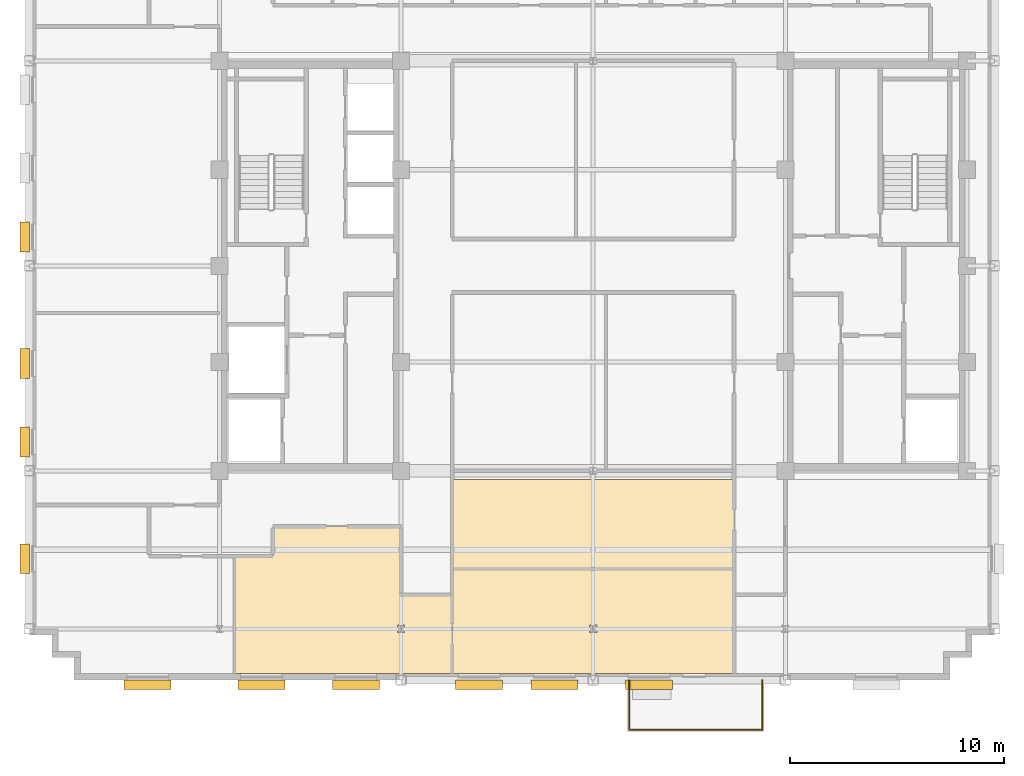
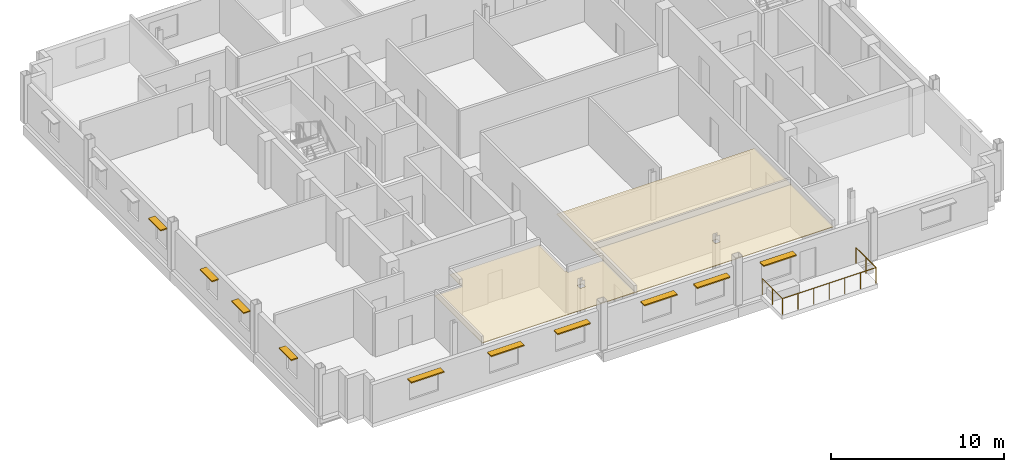
# One storey, part 10 of 13: 10 shading devices, 3 coverings, 1 railing.
"""IFC4 building model written with IfcOpenShell, lengths in metres."""

from ifc_helpers import new_model, si_unit, direction, frame, origin, origin_2d, place, context, subcontext, project, spatial, polyline, rectangle, circle, outline, extrude, source, transform, mapped, material, layer, layer_set, type_object, type_shapes, element, save


model = new_model("IFC4")

# Units and contexts
model_context = context("Model", 3, precision=1e-05, world=origin(), true_north=direction((0.0, 1.0)))
body_context = subcontext(model_context, "Body", "Model", "MODEL_VIEW")
ifc_project = project(units=[si_unit("LENGTHUNIT", "METRE"), si_unit("AREAUNIT", "SQUARE_METRE"), si_unit("VOLUMEUNIT", "CUBIC_METRE"), si_unit("PLANEANGLEUNIT", "RADIAN"), si_unit("MASSUNIT", "GRAM", prefix="KILO")], contexts=[model_context])

# Site, building, storey
site_placement = place(None, origin())
site = spatial("IfcSite", under=ifc_project, at=site_placement, CompositionType="ELEMENT")
building_placement = place(site_placement, origin())
building = spatial("IfcBuilding", under=site, at=building_placement, Name="Nuvemarco Arch Tower", CompositionType="ELEMENT")
storey_placement = place(building_placement, frame((0.0, 0.0, 234.699951171875)))
storey = spatial("IfcBuildingStorey", under=building, at=storey_placement, Name="L62", CompositionType="ELEMENT", Elevation=234.699951171875)

# Coverings
ifc_material_1 = material(Name="Mineral acoustic ceiling tile")
ifc_layer = layer(ifc_material_1, 0.0400390625, Name="COV-ACOUSTIC-CLG")
ifc_layer_set = layer_set([ifc_layer], Name="Mineral acoustic ceiling tile")
covering_type = type_object("IfcCoveringType", Name="COV-ACOUSTIC-CLG", PredefinedType="CEILING", material=ifc_layer_set)
covering_1_placement = place(storey_placement, frame((0.0, 0.0, 2.85009765625)))
element("IfcCovering", 1, at=covering_1_placement, inside=storey, type_object=covering_type, Name="L62 suspended acoustic ceiling 3", PredefinedType="CEILING", context=body_context, shape_type="SweptSolid", body=[
    extrude(outline(polyline([(6.60009765625, -15.39990234375), (6.60009765625, -19.10009765625), (-6.60009765625, -19.10009765625), (-6.60009765625, -15.39990234375), (-6.60009765625, -14.199951171875), (6.60009765625, -14.199951171875), (6.60009765625, -15.39990234375)]), holes=[polyline([(0.169921875, -17.169921875), (0.169921875, -16.830078125), (-0.169921875, -16.830078125), (-0.169921875, -17.169921875), (0.169921875, -17.169921875)])]), origin(), (0.0, 0.0, 1.0), 0.0400390625),
])
covering_2_placement = place(storey_placement, frame((0.0, 0.0, 2.85009765625)))
element("IfcCovering", 2, at=covering_2_placement, inside=storey, type_object=covering_type, Name="L62 suspended acoustic ceiling 4", PredefinedType="CEILING", context=body_context, shape_type="SweptSolid", body=[
    extrude(outline(polyline([(6.60009765625, -14.199951171875), (-6.60009765625, -14.199951171875), (-6.60009765625, -12.199951171875), (-6.60009765625, -10.0), (6.60009765625, -10.0), (6.60009765625, -14.199951171875)])), origin(), (0.0, 0.0, 1.0), 0.0400390625),
])
covering_3_placement = place(storey_placement, frame((0.0, 0.0, 2.85009765625)))
element("IfcCovering", 3, at=covering_3_placement, inside=storey, type_object=covering_type, Name="L62 suspended acoustic ceiling 5", PredefinedType="CEILING", context=body_context, shape_type="SweptSolid", body=[
    extrude(outline(polyline([(-9.0, -12.199951171875), (-9.0, -15.39990234375), (-6.60009765625, -15.39990234375), (-6.60009765625, -19.10009765625), (-16.800048828125, -19.10009765625), (-16.800048828125, -13.60009765625), (-15.0, -13.60009765625), (-15.0, -12.199951171875), (-9.0, -12.199951171875)]), holes=[polyline([(-8.830078125, -16.830078125), (-9.169921875, -16.830078125), (-9.169921875, -17.169921875), (-8.830078125, -17.169921875), (-8.830078125, -16.830078125)])]), origin(), (0.0, 0.0, 1.0), 0.0400390625),
])

# Railing
ifc_material_2 = material(Name="Dark anodised balustrade steel S355", Category="steel")
railing_type = type_object("IfcRailingType", Name="RL-TERR-GUARD", PredefinedType="BALUSTRADE", material=ifc_material_2)
railing_placement = place(storey_placement, frame((1.679931640625, -19.39990234375, 0.0)))
element("IfcRailing", 4, at=railing_placement, inside=storey, type_object=railing_type, Name="L62 spiral terrace perimeter balustrade guard", PredefinedType="BALUSTRADE", context=body_context, shape_type="SweptSolid", body=[
    extrude(circle(Radius=0.02392578125, at=origin_2d()), frame((0.0, 0.0, 1.1259765625), z_axis=(0.0, -1.0, 0.0), x_axis=(1.0, 0.0, 0.0)), (0.0, 0.0, 1.0), 2.320068359375),
    extrude(circle(Radius=0.02392578125, at=origin_2d()), frame((0.0, -2.320068359375, 1.1259765625), z_axis=(1.0, 0.0, 0.0), x_axis=(0.0, 1.0, 0.0)), (0.0, 0.0, 1.0), 6.239990234375),
    extrude(circle(Radius=0.02392578125, at=origin_2d()), frame((6.239990234375, -2.320068359375, 1.1259765625), z_axis=(0.0, 1.0, 0.0), x_axis=(-1.0, 0.0, 0.0)), (0.0, 0.0, 1.0), 2.320068359375),
    extrude(circle(Radius=0.02099609375, at=origin_2d()), origin(), (0.0, 0.0, 1.0), 1.101806640625),
    extrude(circle(Radius=0.02099609375, at=origin_2d()), frame((0.0, -1.16015625, 0.0)), (0.0, 0.0, 1.0), 1.101806640625),
    extrude(circle(Radius=0.02099609375, at=origin_2d()), frame((0.0, -2.320068359375, 0.0)), (0.0, 0.0, 1.0), 1.101806640625),
    extrude(circle(Radius=0.02099609375, at=origin_2d()), frame((1.0400390625, -2.320068359375, 0.0)), (0.0, 0.0, 1.0), 1.101806640625),
    extrude(circle(Radius=0.02099609375, at=origin_2d()), frame((2.080078125, -2.320068359375, 0.0)), (0.0, 0.0, 1.0), 1.101806640625),
    extrude(circle(Radius=0.02099609375, at=origin_2d()), frame((3.1201171875, -2.320068359375, 0.0)), (0.0, 0.0, 1.0), 1.101806640625),
    extrude(circle(Radius=0.02099609375, at=origin_2d()), frame((4.159912109375, -2.320068359375, 0.0)), (0.0, 0.0, 1.0), 1.101806640625),
    extrude(circle(Radius=0.02099609375, at=origin_2d()), frame((5.199951171875, -2.320068359375, 0.0)), (0.0, 0.0, 1.0), 1.101806640625),
    extrude(circle(Radius=0.02099609375, at=origin_2d()), frame((6.239990234375, -2.320068359375, 0.0)), (0.0, 0.0, 1.0), 1.101806640625),
    extrude(circle(Radius=0.02099609375, at=origin_2d()), frame((6.239990234375, -1.16015625, 0.0)), (0.0, 0.0, 1.0), 1.101806640625),
    extrude(circle(Radius=0.02099609375, at=origin_2d()), frame((6.239990234375, 0.0, 0.0)), (0.0, 0.0, 1.0), 1.101806640625),
])

# Shading devices
ifc_material_3 = material(Name="Anodised aluminium 6063-T6", Category="aluminium")
shading_device_type_1 = type_object("IfcShadingDeviceType", Name="SHD-BRISE-SOLEIL", PredefinedType="USERDEFINED", material=ifc_material_3)
shared_shape_1 = source(origin(), body_context, "Body", "SweptSolid", [
    extrude(rectangle(XDim=2.199951171875, YDim=0.449951171875, at=origin_2d()), origin(), (0.0, 0.0, 1.0), 0.080078125),
])
type_shapes(shading_device_type_1, [shared_shape_1])
for number, where, z_axis, x_axis, name in (
    (5, (-20.862548828125, -19.614990234375, 2.284912109375), (0.0, 0.0, 1.0), (1.0, 0.0, 0.0), "L62 horizontal brise-soleil sunshade"),
    (6, (-15.53759765625, -19.614990234375, 2.284912109375), (0.0, 0.0, 1.0), (1.0, 0.0, 0.0), "L62 horizontal brise-soleil sunshade"),
    (7, (-11.112548828125, -19.614990234375, 2.284912109375), (0.0, 0.0, 1.0), (1.0, 0.0, 0.0), "L62 horizontal brise-soleil sunshade"),
    (8, (-5.33740234375, -19.614990234375, 2.284912109375), (0.0, 0.0, 1.0), (1.0, 0.0, 0.0), "L62 horizontal brise-soleil sunshade"),
    (9, (-1.8125, -19.614990234375, 2.284912109375), (0.0, 0.0, 1.0), (1.0, 0.0, 0.0), "L62 horizontal brise-soleil sunshade"),
    (10, (2.612548828125, -19.614990234375, 2.284912109375), (0.0, 0.0, 1.0), (1.0, 0.0, 0.0), "L62 horizontal brise-soleil sunshade"),
):
    element("IfcShadingDevice", number, at=place(storey_placement, frame(where, z_axis=z_axis, x_axis=x_axis)), inside=storey, type_object=shading_device_type_1, Name=name, ObjectType="SUNSHADE", PredefinedType="USERDEFINED", context=body_context, shape_type="MappedRepresentation", body=[
        mapped(shared_shape_1, transform((0.0, 0.0, 0.0), scale=1.0)),
    ])
shading_device_type_2 = type_object("IfcShadingDeviceType", Name="SHD-BRISE-NARROW", PredefinedType="USERDEFINED", material=ifc_material_3)
shared_shape_2 = source(origin(), body_context, "Body", "SweptSolid", [
    extrude(rectangle(XDim=1.39990234375, YDim=0.449951171875, at=origin_2d()), origin(), (0.0, 0.0, 1.0), 0.080078125),
])
type_shapes(shading_device_type_2, [shared_shape_2])
for number, where, z_axis, x_axis, name in (
    (11, (-26.614990234375, -13.7177734375, 2.284912109375), (0.0, 0.0, 1.0), (0.0, 1.0, 0.0), "L62 horizontal brise-soleil sunshade"),
    (12, (-26.614990234375, -8.2451171875, 2.284912109375), (0.0, 0.0, 1.0), (0.0, 1.0, 0.0), "L62 horizontal brise-soleil sunshade"),
    (13, (-26.614990234375, -4.572509765625, 2.284912109375), (0.0, 0.0, 1.0), (0.0, 1.0, 0.0), "L62 horizontal brise-soleil sunshade"),
    (14, (-26.614990234375, 1.35009765625, 2.284912109375), (0.0, 0.0, 1.0), (0.0, 1.0, 0.0), "L62 horizontal brise-soleil sunshade"),
):
    element("IfcShadingDevice", number, at=place(storey_placement, frame(where, z_axis=z_axis, x_axis=x_axis)), inside=storey, type_object=shading_device_type_2, Name=name, ObjectType="SUNSHADE", PredefinedType="USERDEFINED", context=body_context, shape_type="MappedRepresentation", body=[
        mapped(shared_shape_2, transform((0.0, 0.0, 0.0), scale=1.0)),
    ])

save(model, "model.ifc")
